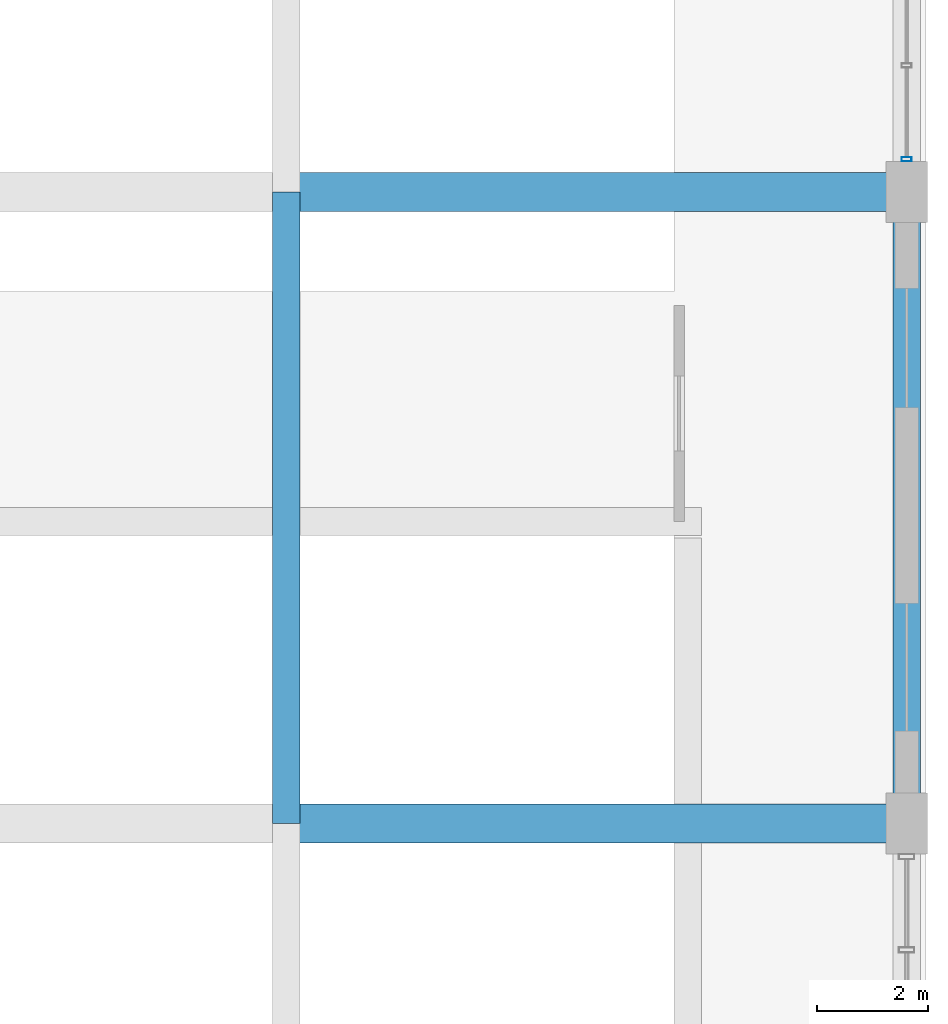
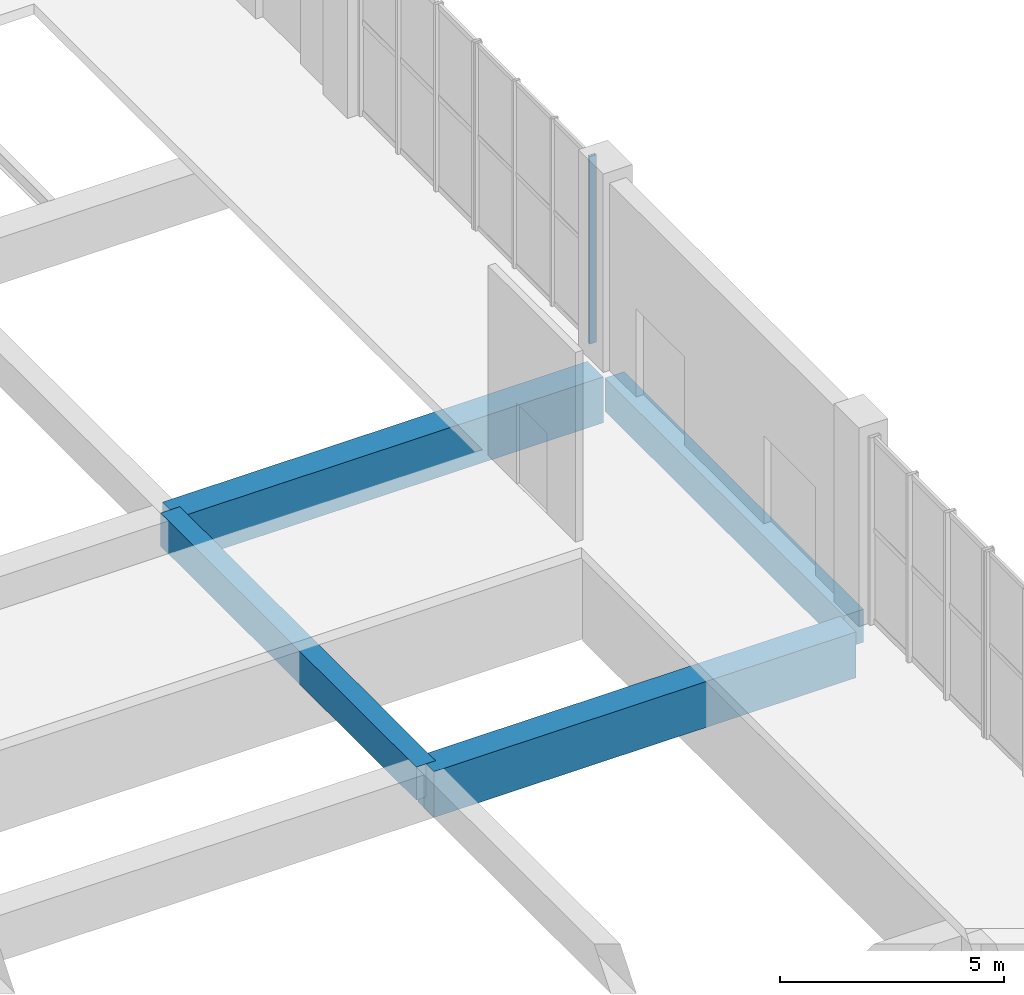
# One storey, part 68 of 113: 4 beams, 1 member, 1 element without a shape of its own.
"""IFC4 building model written with IfcOpenShell, lengths in metres."""

from ifc_helpers import new_model, si_unit, direction, frame, origin, origin_2d, place, context, subcontext, project, spatial, rectangle, hollow_rectangle, extrude, material, layer, layer_set, material_profile, profile_set, type_object, element, aggregate, save


model = new_model("IFC4")

# Units and contexts
model_context = context("Model", 3, precision=1e-05, world=origin(), true_north=direction((0.0, 1.0)))
body_context = subcontext(model_context, "Body", "Model", "MODEL_VIEW")
ifc_project = project(units=[si_unit("LENGTHUNIT", "METRE"), si_unit("AREAUNIT", "SQUARE_METRE"), si_unit("VOLUMEUNIT", "CUBIC_METRE"), si_unit("PLANEANGLEUNIT", "RADIAN"), si_unit("MASSUNIT", "GRAM", prefix="KILO"), si_unit("POWERUNIT", "WATT"), si_unit("THERMODYNAMICTEMPERATUREUNIT", "KELVIN")], contexts=[model_context])

# Site, building, storey
site_placement = place(None, origin())
site = spatial("IfcSite", under=ifc_project, at=site_placement, CompositionType="ELEMENT")
building_placement = place(site_placement, origin())
building = spatial("IfcBuilding", under=site, at=building_placement, Name="Kelmbourne Parkland Aquatics Centre", CompositionType="ELEMENT")
storey_placement = place(building_placement, origin())
storey = spatial("IfcBuildingStorey", under=building, at=storey_placement, Name="L00", CompositionType="ELEMENT", Elevation=0.0)

# Beams
ifc_material_1 = material(Name="Concrete C40/50", Category="concrete")
ifc_material_profile_1 = material_profile(ifc_material_1, rectangle(XDim=0.5, YDim=0.89990234375, at=origin_2d()), Name="RC 500x900")
ifc_profile_set_1 = profile_set([ifc_material_profile_1], Name="Concrete C40/50")
beam_type_1 = type_object("IfcBeamType", Name="BM-G03", PredefinedType="BEAM", material=ifc_profile_set_1)
beam_1_placement = place(storey_placement, frame((164.0, 80.60009765625, -0.72998046875), z_axis=(0.0, 1.0, 0.0), x_axis=(-1.0, 0.0, 0.0)))
element("IfcBeam", 1, at=beam_1_placement, inside=storey, type_object=beam_type_1, Name="Primary girder 11-12 Grid S (L00)", PredefinedType="BEAM", context=body_context, shape_type="SweptSolid", body=[
    extrude(rectangle(XDim=0.5, YDim=0.89990234375, at=origin_2d()), origin(), (0.0, 0.0, 1.0), 11.39990234375),
])
beam_2_placement = place(storey_placement, frame((175.199951171875, 80.929931640625, -0.72998046875), z_axis=(0.0, 1.0, 0.0), x_axis=(-1.0, 0.0, 0.0)))
element("IfcBeam", 2, at=beam_2_placement, inside=storey, type_object=beam_type_1, Name="Primary girder 11-12 Grid T (L00)", PredefinedType="BEAM", context=body_context, shape_type="SweptSolid", body=[
    extrude(rectangle(XDim=0.5, YDim=0.89990234375, at=origin_2d()), origin(), (0.0, 0.0, 1.0), 10.6650390625),
])
ifc_material_2 = material(Name="Concrete C50/60", Category="concrete")
ifc_material_profile_2 = material_profile(ifc_material_2, rectangle(XDim=0.699951171875, YDim=1.25, at=origin_2d()), Name="RC 700x1250")
ifc_profile_set_2 = profile_set([ifc_material_profile_2], Name="Concrete C50/60")
beam_type_2 = type_object("IfcBeamType", Name="BM-G08", PredefinedType="BEAM", material=ifc_profile_set_2)
beam_3_placement = place(storey_placement, frame((164.0, 80.60009765625, -0.905029296875), z_axis=(1.0, 0.0, 0.0), x_axis=(0.0, 1.0, 0.0)))
element("IfcBeam", 3, at=beam_3_placement, inside=storey, type_object=beam_type_2, Name="Primary girder S-T Grid 11 (L00)", PredefinedType="BEAM", context=body_context, shape_type="SweptSolid", body=[
    extrude(rectangle(XDim=0.699951171875, YDim=1.25, at=origin_2d()), origin(), (0.0, 0.0, 1.0), 10.8701171875),
])
beam_4_placement = place(storey_placement, frame((164.0, 92.0, -0.905029296875), z_axis=(1.0, 0.0, 0.0), x_axis=(0.0, 1.0, 0.0)))
element("IfcBeam", 4, at=beam_4_placement, inside=storey, type_object=beam_type_2, Name="Primary girder S-T Grid 12 (L00)", PredefinedType="BEAM", context=body_context, shape_type="SweptSolid", body=[
    extrude(rectangle(XDim=0.699951171875, YDim=1.25, at=origin_2d()), origin(), (0.0, 0.0, 1.0), 10.945068359375),
])

# Curtain wall, member
ifc_material_3 = material(Name="Thermally broken anodised aluminium framing", Category="aluminium")
ifc_layer = layer(ifc_material_3, 0.179931640625)
ifc_layer_set = layer_set([ifc_layer], Name="Thermally broken anodised aluminium framing")
curtain_wall_type = type_object("IfcCurtainWallType", Name="CW-09", PredefinedType="NOTDEFINED", material=ifc_layer_set)
curtain_wall_placement = place(storey_placement, origin())
curtain_wall = element("IfcCurtainWall", 5, at=curtain_wall_placement, inside=storey, type_object=curtain_wall_type, Name="Facade curtain wall CW-L00-081", PredefinedType="NOTDEFINED")
ifc_material_profile_3 = material_profile(ifc_material_3, hollow_rectangle(XDim=0.074951171875, YDim=0.179931640625, WallThickness=0.00439453125, at=origin_2d()), Name="CW-M 75x180")
ifc_profile_set_3 = profile_set([ifc_material_profile_3], Name="Thermally broken anodised aluminium framing")
member_type = type_object("IfcMemberType", Name="MB-MUL-2", PredefinedType="MULLION", material=ifc_profile_set_3)
member_placement = place(storey_placement, frame((175.199951171875, 92.589599609375, 0.0), z_axis=(0.0, 0.0, 1.0), x_axis=(0.0, 1.0, 0.0)))
member = element("IfcMember", 6, at=member_placement, type_object=member_type, Name="CW-L00-081 mullion 0", PredefinedType="MULLION", context=body_context, shape_type="SweptSolid", body=[
    extrude(hollow_rectangle(XDim=0.074951171875, YDim=0.179931640625, WallThickness=0.00439453125, at=origin_2d()), origin(), (0.0, 0.0, 1.0), 5.10009765625),
])
aggregate(curtain_wall, [member])

save(model, "model.ifc")
